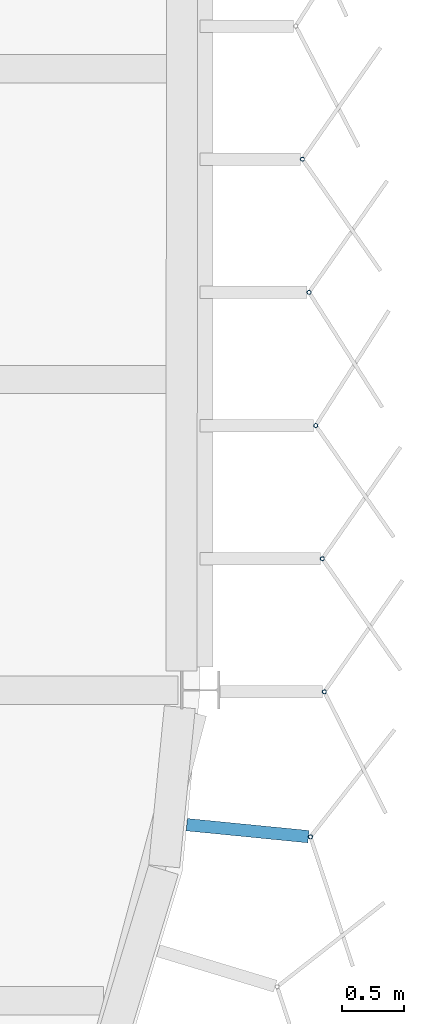
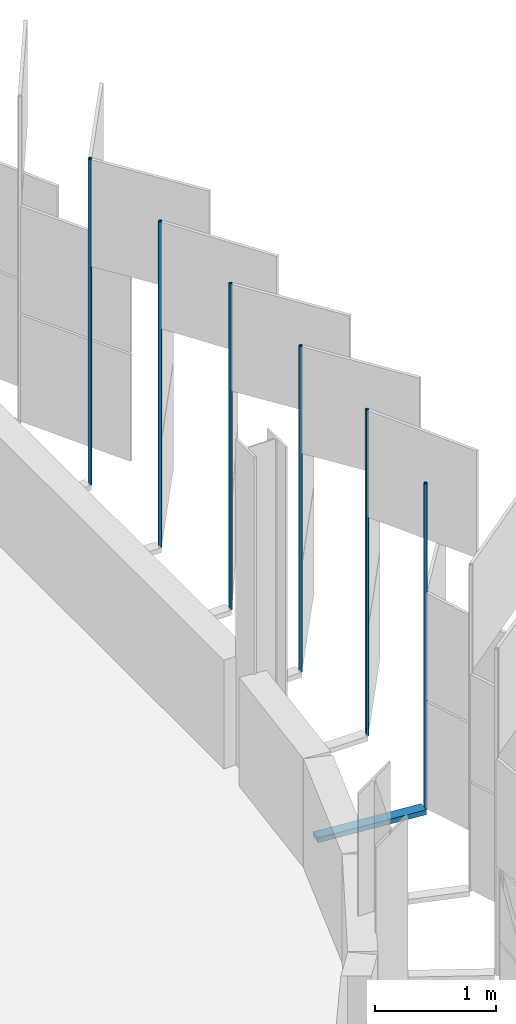
# One storey, part 90 of 198: 7 discrete accessories.
"""IFC4 building model written with IfcOpenShell, lengths in metres."""

from ifc_helpers import new_model, si_unit, direction, frame, origin, origin_2d, place, context, subcontext, project, spatial, rectangle, hollow_circle, extrude, material, material_profile, profile_set, type_object, element, save


model = new_model("IFC4")

# Units and contexts
model_context = context("Model", 3, precision=1e-05, world=origin(), true_north=direction((0.0, 1.0)))
body_context = subcontext(model_context, "Body", "Model", "MODEL_VIEW")
ifc_project = project(units=[si_unit("LENGTHUNIT", "METRE"), si_unit("AREAUNIT", "SQUARE_METRE"), si_unit("VOLUMEUNIT", "CUBIC_METRE"), si_unit("PLANEANGLEUNIT", "RADIAN"), si_unit("MASSUNIT", "GRAM", prefix="KILO")], contexts=[model_context])

# Site, building, storey
site_placement = place(None, origin())
site = spatial("IfcSite", under=ifc_project, at=site_placement, CompositionType="ELEMENT")
building_placement = place(site_placement, origin())
building = spatial("IfcBuilding", under=site, at=building_placement, Name="Parallax Yard Mobility Hub", CompositionType="ELEMENT")
storey_placement = place(building_placement, frame((0.0, 0.0, 6.60009765625)))
storey = spatial("IfcBuildingStorey", under=building, at=storey_placement, Name="L02", CompositionType="ELEMENT", Elevation=6.60009765625)

# Discrete accessories
ifc_material_1 = material(Name="Steel ASTM A36, hot-dip galvanised", Category="steel")
discrete_accessory_type_1 = type_object("IfcDiscreteAccessoryType", Name="Hinge bracket plate 100x50", PredefinedType="BRACKET", material=ifc_material_1)
discrete_accessory_placement = place(storey_placement, frame((225.382568359375, 28.868408203125, -0.02490234375), z_axis=(0.0, 0.0, 1.0), x_axis=(0.995184726672, -0.09801714033, 0.0)))
element("IfcDiscreteAccessory", 1, at=discrete_accessory_placement, inside=storey, type_object=discrete_accessory_type_1, Name="Hinge bracket plate bay 32.11 level L02", PredefinedType="BRACKET", context=body_context, shape_type="SweptSolid", body=[
    extrude(rectangle(XDim=0.984130859375, YDim=0.10009765625, at=origin_2d()), origin(), (0.0, 0.0, 1.0), 0.050048828125),
])
ifc_material_2 = material(Name="Steel ASTM A500 Gr C, hot-dip galvanised", Category="steel")
ifc_material_profile = material_profile(ifc_material_2, hollow_circle(Radius=0.016845703125, WallThickness=0.003173828125, at=origin_2d()), Name="CHS 33.7x3.2")
ifc_profile_set = profile_set([ifc_material_profile], Name="Steel ASTM A500 Gr C, hot-dip galvanised")
discrete_accessory_type_2 = type_object("IfcDiscreteAccessoryType", Name="Hinge post CHS 33.7x3.2", PredefinedType="BRACKET", material=ifc_profile_set)
for number, where, z_axis, x_axis, name in (
    (2, (225.888427734375, 28.818603515625, 0.0), (0.0, 0.0, 1.0), (1.0, 0.0, 0.0), "Hinge post bay 32.11 level L02"),
    (3, (226.0, 29.985595703125, 0.0), (0.0, 0.0, 1.0), (1.0, 0.0, 0.0), "Hinge post bay 33.1 level L02"),
    (4, (225.98388671875, 31.057373046875, 0.0), (0.0, 0.0, 1.0), (1.0, 0.0, 0.0), "Hinge post bay 33.2 level L02"),
    (5, (225.930419921875, 32.12890625, 0.0), (0.0, 0.0, 1.0), (1.0, 0.0, 0.0), "Hinge post bay 33.3 level L02"),
    (6, (225.876708984375, 33.20068359375, 0.0), (0.0, 0.0, 1.0), (1.0, 0.0, 0.0), "Hinge post bay 33.4 level L02"),
    (7, (225.8232421875, 34.2724609375, 0.0), (0.0, 0.0, 1.0), (1.0, 0.0, 0.0), "Hinge post bay 33.5 level L02"),
):
    element("IfcDiscreteAccessory", number, at=place(storey_placement, frame(where, z_axis=z_axis, x_axis=x_axis)), inside=storey, type_object=discrete_accessory_type_2, Name=name, PredefinedType="BRACKET", context=body_context, shape_type="SweptSolid", body=[
        extrude(hollow_circle(Radius=0.016845703125, WallThickness=0.003173828125, at=origin_2d()), origin(), (0.0, 0.0, 1.0), 3.2998046875),
    ])

save(model, "model.ifc")
